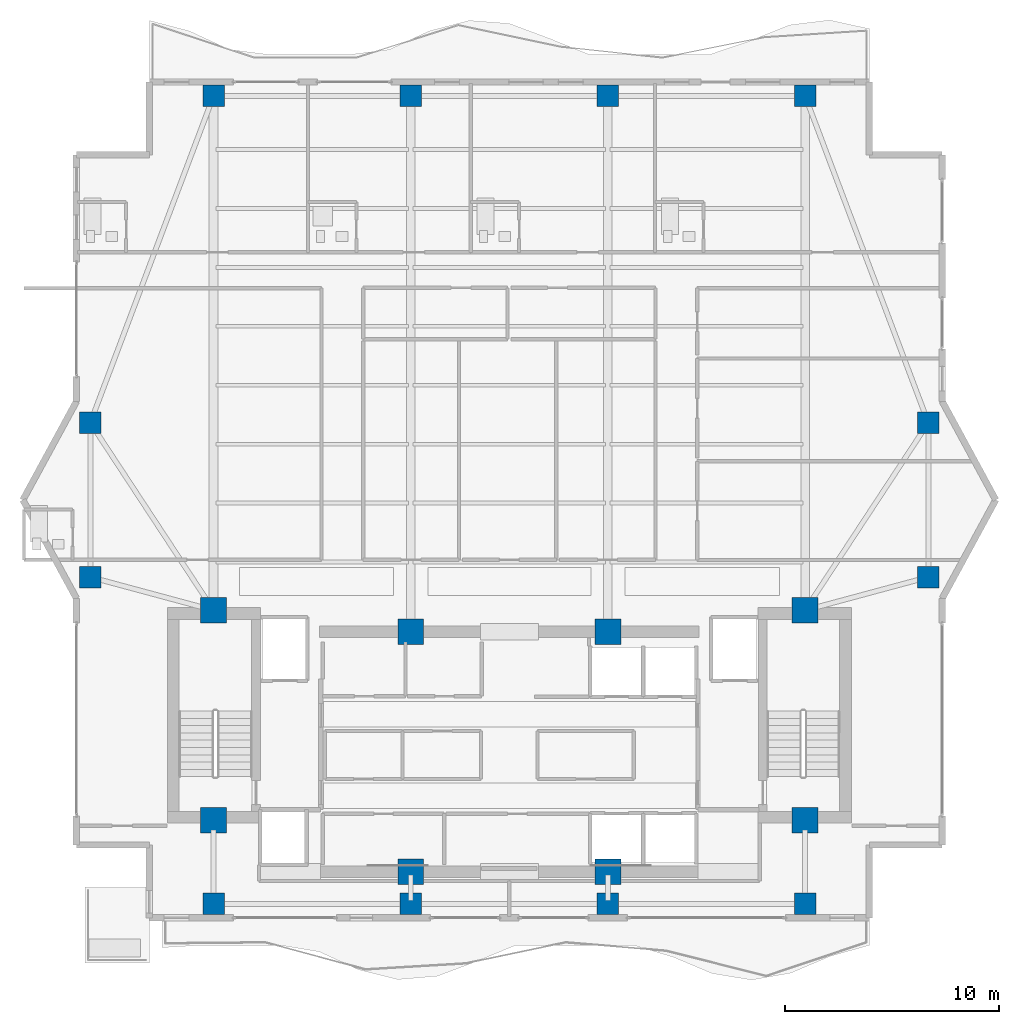
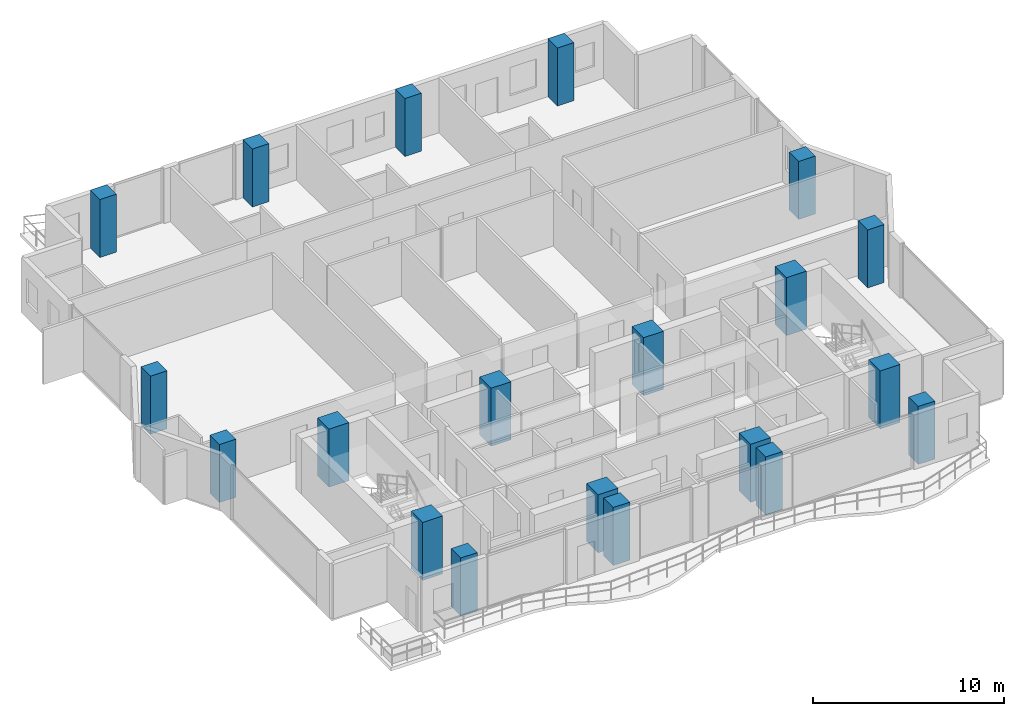
# One storey, part 1 of 24: 20 columns.
"""IFC4 building model written with IfcOpenShell, lengths in metres."""

from ifc_helpers import new_model, si_unit, direction, frame, origin, origin_2d, place, context, subcontext, project, spatial, rectangle, extrude, material, material_profile, profile_set, type_object, element, save


model = new_model("IFC4")

# Units and contexts
model_context = context("Model", 3, precision=1e-05, world=origin(), true_north=direction((0.0, 1.0)))
body_context = subcontext(model_context, "Body", "Model", "MODEL_VIEW")
ifc_project = project(units=[si_unit("LENGTHUNIT", "METRE"), si_unit("AREAUNIT", "SQUARE_METRE"), si_unit("VOLUMEUNIT", "CUBIC_METRE"), si_unit("PLANEANGLEUNIT", "RADIAN"), si_unit("MASSUNIT", "GRAM", prefix="KILO")], contexts=[model_context])

# Site, building, storey
site_placement = place(None, origin())
site = spatial("IfcSite", under=ifc_project, at=site_placement, CompositionType="ELEMENT")
building_placement = place(site_placement, origin())
building = spatial("IfcBuilding", under=site, at=building_placement, Name="Zuhayl Quay Hotel", CompositionType="ELEMENT")
storey_placement = place(building_placement, frame((0.0, 0.0, 280.35009765625)))
storey = spatial("IfcBuildingStorey", under=building, at=storey_placement, Name="L71", CompositionType="ELEMENT", Elevation=280.35009765625)

# Columns
ifc_material = material(Name="Concrete C60/75", Category="concrete")
ifc_material_profile_1 = material_profile(ifc_material, rectangle(XDim=1.199951171875, YDim=1.199951171875, at=origin_2d()), Name="RC1200X1200")
ifc_profile_set_1 = profile_set([ifc_material_profile_1], Name="Concrete C60/75")
column_type_1 = type_object("IfcColumnType", Name="CL_CC2_1200", PredefinedType="COLUMN", material=ifc_profile_set_1)
for number, where, z_axis, x_axis, name in (
    (1, (-13.800048828125, 14.35009765625, 0.0), (0.0, 0.0, 1.0), (1.0, 0.0, 0.0), "L71 Core Column CC_NW"),
    (2, (-4.60009765625, 13.35009765625, 0.0), (0.0, 0.0, 1.0), (1.0, 0.0, 0.0), "L71 Core Column CC_CNW"),
    (3, (4.60009765625, 13.35009765625, 0.0), (0.0, 0.0, 1.0), (1.0, 0.0, 0.0), "L71 Core Column CC_CNE"),
    (4, (13.800048828125, 14.35009765625, 0.0), (0.0, 0.0, 1.0), (1.0, 0.0, 0.0), "L71 Core Column CC_NE"),
    (5, (-13.800048828125, 4.550048828125, 0.0), (0.0, 0.0, 1.0), (1.0, 0.0, 0.0), "L71 Core Column CC_SW"),
    (6, (-4.60009765625, 2.14990234375, 0.0), (0.0, 0.0, 1.0), (1.0, 0.0, 0.0), "L71 Core Column CC_CSW"),
    (7, (4.60009765625, 2.14990234375, 0.0), (0.0, 0.0, 1.0), (1.0, 0.0, 0.0), "L71 Core Column CC_CSE"),
    (8, (13.800048828125, 4.550048828125, 0.0), (0.0, 0.0, 1.0), (1.0, 0.0, 0.0), "L71 Core Column CC_SE"),
):
    element("IfcColumn", number, at=place(storey_placement, frame(where, z_axis=z_axis, x_axis=x_axis)), inside=storey, type_object=column_type_1, Name=name, PredefinedType="COLUMN", context=body_context, shape_type="SweptSolid", body=[
        extrude(rectangle(XDim=1.199951171875, YDim=1.199951171875, at=origin_2d()), origin(), (0.0, 0.0, 1.0), 3.699951171875),
    ])
ifc_material_profile_2 = material_profile(ifc_material, rectangle(XDim=1.0, YDim=1.0, at=origin_2d()), Name="RC1000X1000")
ifc_profile_set_2 = profile_set([ifc_material_profile_2], Name="Concrete C60/75")
column_type_2 = type_object("IfcColumnType", Name="CL_MC4_1000", PredefinedType="COLUMN", material=ifc_profile_set_2)
for number, where, z_axis, x_axis, name in (
    (9, (-13.800048828125, 0.64990234375, 0.0), (0.0, 0.0, 1.0), (1.0, 0.0, 0.0), "L71 Mega-Column MC_S1"),
    (10, (-4.60009765625, 0.64990234375, 0.0), (0.0, 0.0, 1.0), (1.0, 0.0, 0.0), "L71 Mega-Column MC_S2"),
    (11, (4.60009765625, 0.64990234375, 0.0), (0.0, 0.0, 1.0), (1.0, 0.0, 0.0), "L71 Mega-Column MC_S3"),
    (12, (13.800048828125, 0.64990234375, 0.0), (0.0, 0.0, 1.0), (1.0, 0.0, 0.0), "L71 Mega-Column MC_S4"),
    (13, (-13.800048828125, 38.35009765625, 0.0), (0.0, 0.0, 1.0), (1.0, 0.0, 0.0), "L71 Mega-Column MC_N1"),
    (14, (-4.60009765625, 38.35009765625, 0.0), (0.0, 0.0, 1.0), (1.0, 0.0, 0.0), "L71 Mega-Column MC_N2"),
    (15, (4.60009765625, 38.35009765625, 0.0), (0.0, 0.0, 1.0), (1.0, 0.0, 0.0), "L71 Mega-Column MC_N3"),
    (16, (13.800048828125, 38.35009765625, 0.0), (0.0, 0.0, 1.0), (1.0, 0.0, 0.0), "L71 Mega-Column MC_N4"),
    (17, (-19.550048828125, 15.89990234375, 0.0), (0.0, 0.0, 1.0), (1.0, 0.0, 0.0), "L71 Mega-Column MC_W1"),
    (18, (-19.550048828125, 23.10009765625, 0.0), (0.0, 0.0, 1.0), (1.0, 0.0, 0.0), "L71 Mega-Column MC_W2"),
    (19, (19.550048828125, 15.89990234375, 0.0), (0.0, 0.0, 1.0), (1.0, 0.0, 0.0), "L71 Mega-Column MC_E1"),
    (20, (19.550048828125, 23.10009765625, 0.0), (0.0, 0.0, 1.0), (1.0, 0.0, 0.0), "L71 Mega-Column MC_E2"),
):
    element("IfcColumn", number, at=place(storey_placement, frame(where, z_axis=z_axis, x_axis=x_axis)), inside=storey, type_object=column_type_2, Name=name, PredefinedType="COLUMN", context=body_context, shape_type="SweptSolid", body=[
        extrude(rectangle(XDim=1.0, YDim=1.0, at=origin_2d()), origin(), (0.0, 0.0, 1.0), 3.699951171875),
    ])

save(model, "model.ifc")
